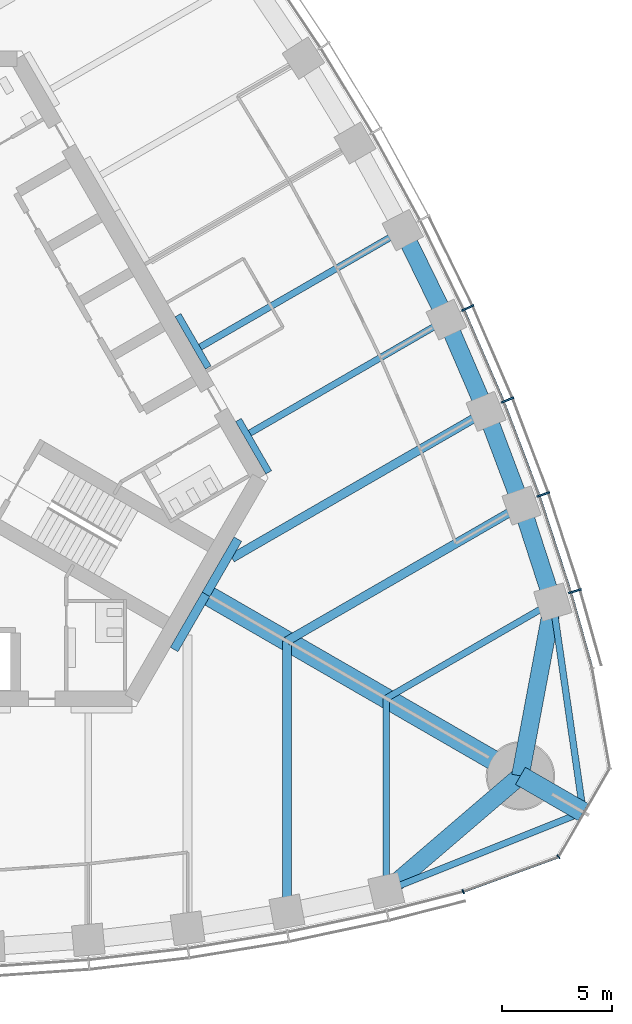
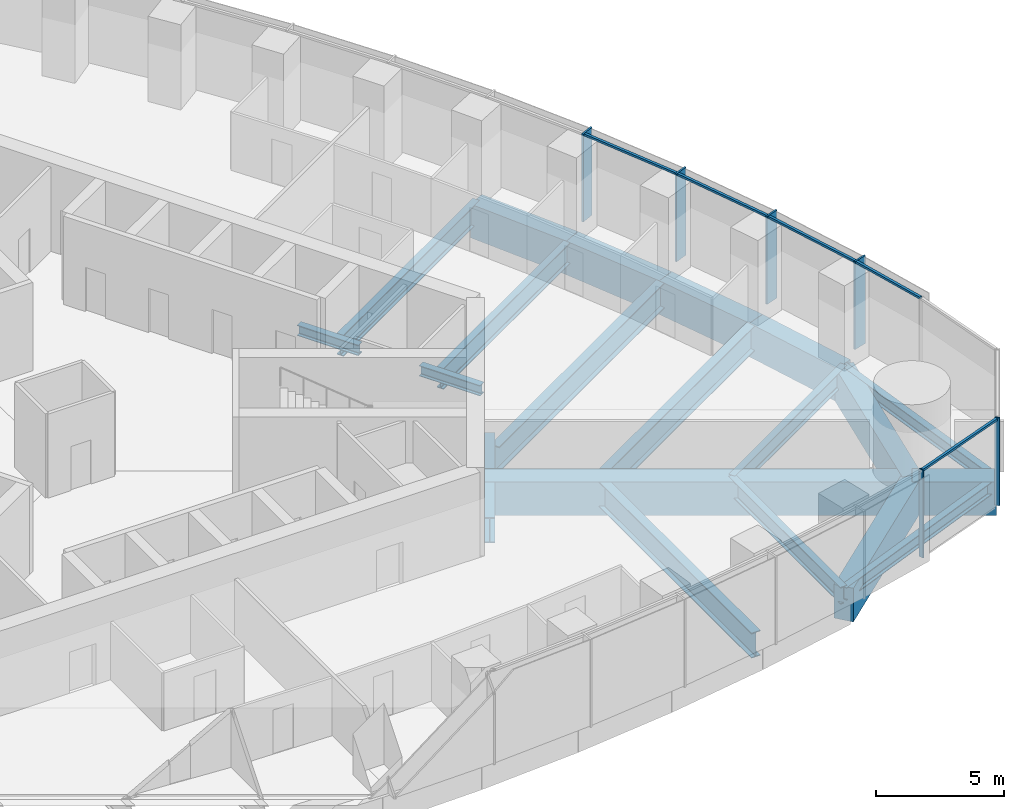
# One storey, part 4 of 18: 21 beams, 11 members, 2 elements without a shape of their own.
"""IFC4 building model written with IfcOpenShell, lengths in metres."""

from ifc_helpers import new_model, si_unit, direction, frame, origin, origin_2d, place, context, subcontext, project, spatial, rectangle, i_section, extrude, material, material_profile, profile_set, type_object, element, aggregate, save


model = new_model("IFC4")

# Units and contexts
model_context = context("Model", 3, precision=1e-05, world=origin(), true_north=direction((0.0, 1.0)))
body_context = subcontext(model_context, "Body", "Model", "MODEL_VIEW")
ifc_project = project(units=[si_unit("LENGTHUNIT", "METRE"), si_unit("AREAUNIT", "SQUARE_METRE"), si_unit("VOLUMEUNIT", "CUBIC_METRE"), si_unit("PLANEANGLEUNIT", "RADIAN"), si_unit("MASSUNIT", "GRAM", prefix="KILO")], contexts=[model_context])

# Site, building, storey
site_placement = place(None, origin())
site = spatial("IfcSite", under=ifc_project, at=site_placement, CompositionType="ELEMENT")
building_placement = place(site_placement, origin())
building = spatial("IfcBuilding", under=site, at=building_placement, Name="Trefoil Bronze Tower", CompositionType="ELEMENT")
storey_placement = place(building_placement, frame((0.0, 0.0, 252.699951171875)))
storey = spatial("IfcBuildingStorey", under=building, at=storey_placement, Name="L58", CompositionType="ELEMENT", Elevation=252.699951171875)

# Curtain wall, members
ifc_material_1 = material(Name="Tinted solar-control glass", Category="glass")
curtain_wall_type_1 = type_object("IfcCurtainWallType", Name="Bronze office curtain wall", PredefinedType="USERDEFINED", material=ifc_material_1)
curtain_wall_1_placement = place(storey_placement, origin())
curtain_wall_1 = element("IfcCurtainWall", 1, at=curtain_wall_1_placement, inside=storey, type_object=curtain_wall_type_1, Name="CW-A L58 F2", ObjectType="CURTAIN WALL", PredefinedType="USERDEFINED")
ifc_material_2 = material(Name="Bronze-finish aluminium", Category="aluminium")
ifc_material_profile_1 = material_profile(ifc_material_2, rectangle(XDim=0.60009765625, YDim=0.080078125, at=origin_2d()), Name="CW-A mullion")
ifc_profile_set_1 = profile_set([ifc_material_profile_1], Name="Bronze-finish aluminium")
member_type_1 = type_object("IfcMemberType", Name="Bronze office curtain wall mullion", PredefinedType="MULLION", material=ifc_profile_set_1)
member_1_placement = place(storey_placement, frame((31.05029296875, -8.132568359375, 0.0), z_axis=(0.0, 0.0, 1.0), x_axis=(-0.95694224323, -0.290278389002, 0.0)))
member_1 = element("IfcMember", 2, at=member_1_placement, type_object=member_type_1, Name="CW-A L58 F2 mullion 2", PredefinedType="MULLION", context=body_context, shape_type="SweptSolid", body=[
    extrude(rectangle(XDim=0.60009765625, YDim=0.080078125, at=origin_2d()), origin(), (0.0, 0.0, 1.0), 4.179931640625),
])
member_2_placement = place(storey_placement, frame((29.619873046875, -3.747314453125, 0.0), z_axis=(0.0, 0.0, 1.0), x_axis=(-0.943180077746, -0.332282020191, 0.0)))
member_2 = element("IfcMember", 3, at=member_2_placement, type_object=member_type_1, Name="CW-A L58 F2 mullion 3", PredefinedType="MULLION", context=body_context, shape_type="SweptSolid", body=[
    extrude(rectangle(XDim=0.60009765625, YDim=0.080078125, at=origin_2d()), origin(), (0.0, 0.0, 1.0), 4.179931640625),
])
member_3_placement = place(storey_placement, frame((27.999755859375, 0.529541015625, 0.0), z_axis=(0.0, 0.0, 1.0), x_axis=(-0.926689348282, -0.375828221106, 0.0)))
member_3 = element("IfcMember", 4, at=member_3_placement, type_object=member_type_1, Name="CW-A L58 F2 mullion 4", PredefinedType="MULLION", context=body_context, shape_type="SweptSolid", body=[
    extrude(rectangle(XDim=0.60009765625, YDim=0.080078125, at=origin_2d()), origin(), (0.0, 0.0, 1.0), 4.179931640625),
])
member_4_placement = place(storey_placement, frame((26.19482421875, 4.699462890625, 0.0), z_axis=(0.0, 0.0, 1.0), x_axis=(-0.908315380354, -0.418285990457, 0.0)))
member_4 = element("IfcMember", 5, at=member_4_placement, type_object=member_type_1, Name="CW-A L58 F2 mullion 5", PredefinedType="MULLION", context=body_context, shape_type="SweptSolid", body=[
    extrude(rectangle(XDim=0.60009765625, YDim=0.080078125, at=origin_2d()), origin(), (0.0, 0.0, 1.0), 4.179931640625),
])
ifc_material_3 = material(Name="Bronze-finish aluminium", Category="aluminium")
ifc_material_profile_2 = material_profile(ifc_material_3, rectangle(XDim=0.1201171875, YDim=0.10009765625, at=origin_2d()), Name="CW-A transom")
ifc_profile_set_2 = profile_set([ifc_material_profile_2], Name="Bronze-finish aluminium")
member_type_2 = type_object("IfcMemberType", Name="Bronze office curtain wall transom", PredefinedType="USERDEFINED", material=ifc_profile_set_2)
member_5_placement = place(storey_placement, frame((31.81201171875, -11.585205078125, 4.130126953125), z_axis=(-0.270284880437, 0.962780392097, 0.0), x_axis=(-0.962780392097, -0.270284880437, 0.0)))
member_5 = element("IfcMember", 6, at=member_5_placement, type_object=member_type_2, Name="CW-A L58 F2 transom 1", ObjectType="TRANSOM", PredefinedType="USERDEFINED", context=body_context, shape_type="SweptSolid", body=[
    extrude(rectangle(XDim=0.1201171875, YDim=0.10009765625, at=origin_2d()), origin(), (0.0, 0.0, 1.0), 3.48388671875),
])
member_6_placement = place(storey_placement, frame((30.845947265625, -8.150634765625, 4.130126953125), z_axis=(-0.310127806788, 0.950694874004, 0.0), x_axis=(-0.950694874004, -0.310127806788, 0.0)))
member_6 = element("IfcMember", 7, at=member_6_placement, type_object=member_type_2, Name="CW-A L58 F2 transom 2", ObjectType="TRANSOM", PredefinedType="USERDEFINED", context=body_context, shape_type="SweptSolid", body=[
    extrude(rectangle(XDim=0.1201171875, YDim=0.10009765625, at=origin_2d()), origin(), (0.0, 0.0, 1.0), 4.51953125),
])
member_7_placement = place(storey_placement, frame((29.416259765625, -3.774169921875, 4.130126953125), z_axis=(-0.354263170896, 0.935145767112, 0.0), x_axis=(-0.935145767112, -0.354263170896, 0.0)))
member_7 = element("IfcMember", 8, at=member_7_placement, type_object=member_type_2, Name="CW-A L58 F2 transom 3", ObjectType="TRANSOM", PredefinedType="USERDEFINED", context=body_context, shape_type="SweptSolid", body=[
    extrude(rectangle(XDim=0.1201171875, YDim=0.10009765625, at=origin_2d()), origin(), (0.0, 0.0, 1.0), 4.4794921875),
])
member_8_placement = place(storey_placement, frame((27.797607421875, 0.4931640625, 4.130126953125), z_axis=(-0.397220936772, 0.917723012346, 0.0), x_axis=(-0.917723012346, -0.397220936772, 0.0)))
member_8 = element("IfcMember", 9, at=member_8_placement, type_object=member_type_2, Name="CW-A L58 F2 transom 4", ObjectType="TRANSOM", PredefinedType="USERDEFINED", context=body_context, shape_type="SweptSolid", body=[
    extrude(rectangle(XDim=0.1201171875, YDim=0.10009765625, at=origin_2d()), origin(), (0.0, 0.0, 1.0), 4.449951171875),
])
aggregate(curtain_wall_1, [member_1, member_2, member_3, member_4, member_5, member_6, member_7, member_8])

ifc_material_4 = material(Name="Tinted solar-control glass", Category="glass")
curtain_wall_type_2 = type_object("IfcCurtainWallType", Name="Bronze rounded corner curtain wall", PredefinedType="USERDEFINED", material=ifc_material_4)
curtain_wall_2_placement = place(storey_placement, origin())
curtain_wall_2 = element("IfcCurtainWall", 10, at=curtain_wall_2_placement, inside=storey, type_object=curtain_wall_type_2, Name="CW-B L58 K1", ObjectType="CURTAIN WALL", PredefinedType="USERDEFINED")
ifc_material_5 = material(Name="Bronze-finish aluminium", Category="aluminium")
ifc_material_profile_3 = material_profile(ifc_material_5, rectangle(XDim=0.199951171875, YDim=0.06005859375, at=origin_2d()), Name="CW-B mullion")
ifc_profile_set_3 = profile_set([ifc_material_profile_3], Name="Bronze-finish aluminium")
member_type_3 = type_object("IfcMemberType", Name="Bronze rounded corner curtain wall mullion", PredefinedType="MULLION", material=ifc_profile_set_3)
member_9_placement = place(storey_placement, frame((25.9873046875, -21.74462890625, 0.0), z_axis=(0.0, 0.0, 1.0), x_axis=(-0.342020143326, 0.939692620786, 0.0)))
member_9 = element("IfcMember", 11, at=member_9_placement, type_object=member_type_3, Name="CW-B L58 K1 mullion 1", PredefinedType="MULLION", context=body_context, shape_type="SweptSolid", body=[
    extrude(rectangle(XDim=0.199951171875, YDim=0.06005859375, at=origin_2d()), origin(), (0.0, 0.0, 1.0), 4.179931640625),
])
member_10_placement = place(storey_placement, frame((30.302490234375, -20.16748046875, 0.0), z_axis=(0.0, 0.0, 1.0), x_axis=(-0.642787609687, 0.766044443119, 0.0)))
member_10 = element("IfcMember", 12, at=member_10_placement, type_object=member_type_3, Name="CW-B L58 K1 mullion 2", PredefinedType="MULLION", context=body_context, shape_type="SweptSolid", body=[
    extrude(rectangle(XDim=0.199951171875, YDim=0.06005859375, at=origin_2d()), origin(), (0.0, 0.0, 1.0), 4.179931640625),
])
ifc_material_6 = material(Name="Bronze-finish aluminium", Category="aluminium")
ifc_material_profile_4 = material_profile(ifc_material_6, rectangle(XDim=0.1201171875, YDim=0.10009765625, at=origin_2d()), Name="CW-B transom")
ifc_profile_set_4 = profile_set([ifc_material_profile_4], Name="Bronze-finish aluminium")
member_type_4 = type_object("IfcMemberType", Name="Bronze rounded corner curtain wall transom", PredefinedType="USERDEFINED", material=ifc_profile_set_4)
member_11_placement = place(storey_placement, frame((26.015380859375, -21.734375, 4.130126953125), z_axis=(0.939680910753, 0.342052314664, 0.0), x_axis=(-0.342052314664, 0.939680910753, 0.0)))
member_11 = element("IfcMember", 13, at=member_11_placement, type_object=member_type_4, Name="CW-B L58 K1 transom 1", ObjectType="TRANSOM", PredefinedType="USERDEFINED", context=body_context, shape_type="SweptSolid", body=[
    extrude(rectangle(XDim=0.1201171875, YDim=0.10009765625, at=origin_2d()), origin(), (0.0, 0.0, 1.0), 4.500244140625),
])
aggregate(curtain_wall_2, [member_9, member_10, member_11])

# Beams
ifc_material_7 = material(Name="Steel C355", Category="steel")
ifc_material_profile_5 = material_profile(ifc_material_7, i_section(OverallWidth=0.300048828125, OverallDepth=0.5, WebThickness=0.014404296875, FlangeThickness=0.028076171875, FilletRadius=0.027099609375, at=origin_2d()), Name="HEB 500")
ifc_profile_set_5 = profile_set([ifc_material_profile_5], Name="Steel C355")
beam_type_1 = type_object("IfcBeamType", Name="Core seat beam HEB 500", PredefinedType="BEAM", material=ifc_profile_set_5)
for number, where, z_axis, x_axis, name in (
    (14, (17.17626953125, -2.75, -0.449951171875), (-0.500035825175, 0.866004719122, 0.0), (-0.866004719122, -0.500035825175, 0.0), "Core seat beam F2/-2 L58"),
    (15, (14.433837890625, 2.0, -0.449951171875), (-0.500035825175, 0.866004719122, 0.0), (-0.866004719122, -0.500035825175, 0.0), "Core seat beam F2/-1 L58"),
):
    element("IfcBeam", number, at=place(storey_placement, frame(where, z_axis=z_axis, x_axis=x_axis)), inside=storey, type_object=beam_type_1, Name=name, PredefinedType="BEAM", context=body_context, shape_type="SweptSolid", body=[
        extrude(i_section(OverallWidth=0.300048828125, OverallDepth=0.5, WebThickness=0.014404296875, FlangeThickness=0.028076171875, FilletRadius=0.027099609375, at=origin_2d()), origin(), (0.0, 0.0, 1.0), 2.742431640625),
    ])
ifc_material_8 = material(Name="Steel C355", Category="steel")
ifc_material_profile_6 = material_profile(ifc_material_8, i_section(OverallWidth=0.39990234375, OverallDepth=1.199951171875, WebThickness=0.02001953125, FlangeThickness=0.0400390625, FilletRadius=0.010009765625, at=origin_2d()), Name="WPG 1200")
ifc_profile_set_6 = profile_set([ifc_material_profile_6], Name="Steel C355")
beam_type_2 = type_object("IfcBeamType", Name="Core seat beam WPG 1200", PredefinedType="BEAM", material=ifc_profile_set_6)
for number, where, z_axis, x_axis, name in (
    (16, (12.889404296875, -10.77490234375, -0.800048828125), (0.499995765644, 0.866027848477, 0.0), (-0.866027848477, 0.499995765644, 0.0), "Core seat beam F1/+3 L58"),
    (17, (14.332763671875, -8.27490234375, -0.800048828125), (0.499995765644, 0.866027848477, 0.0), (-0.866027848477, 0.499995765644, 0.0), "Core seat beam F2/-3 L58"),
):
    element("IfcBeam", number, at=place(storey_placement, frame(where, z_axis=z_axis, x_axis=x_axis)), inside=storey, type_object=beam_type_2, Name=name, PredefinedType="BEAM", context=body_context, shape_type="SweptSolid", body=[
        extrude(i_section(OverallWidth=0.39990234375, OverallDepth=1.199951171875, WebThickness=0.02001953125, FlangeThickness=0.0400390625, FilletRadius=0.010009765625, at=origin_2d()), origin(), (0.0, 0.0, 1.0), 2.88671875),
    ])
ifc_material_9 = material(Name="Concrete B80", Category="concrete")
ifc_material_profile_7 = material_profile(ifc_material_9, rectangle(XDim=0.89990234375, YDim=1.60009765625, at=origin_2d()), Name="RC 900x1600")
ifc_profile_set_7 = profile_set([ifc_material_profile_7], Name="Concrete B80")
beam_type_3 = type_object("IfcBeamType", Name="Corner cantilever RC 900x1600", PredefinedType="BEAM", material=ifc_profile_set_7)
beam_1_placement = place(storey_placement, frame((28.578857421875, -16.5, -1.0), z_axis=(0.866016004958, -0.500016278891, 0.0), x_axis=(0.500016278891, 0.866016004958, 0.0)))
element("IfcBeam", 18, at=beam_1_placement, inside=storey, type_object=beam_type_3, Name="Corner cantilever K1 L58", PredefinedType="BEAM", context=body_context, shape_type="SweptSolid", body=[
    extrude(rectangle(XDim=0.89990234375, YDim=1.60009765625, at=origin_2d()), origin(), (0.0, 0.0, 1.0), 3.28466796875),
])
ifc_material_10 = material(Name="Steel C355", Category="steel")
ifc_material_profile_8 = material_profile(ifc_material_10, i_section(OverallWidth=0.300048828125, OverallDepth=0.60009765625, WebThickness=0.015380859375, FlangeThickness=0.030029296875, FilletRadius=0.027099609375, at=origin_2d()), Name="HEB 600")
ifc_profile_set_8 = profile_set([ifc_material_profile_8], Name="Steel C355")
beam_type_4 = type_object("IfcBeamType", Name="Corner edge beam HEB 600", PredefinedType="BEAM", material=ifc_profile_set_8)
for number, where, z_axis, x_axis, name in (
    (19, (22.5, -21.71044921875, -0.5), (0.92852048463, 0.371281173266, 0.0), (-0.371281173266, 0.92852048463, 0.0), "Corner edge beam F1A L58"),
    (20, (30.052001953125, -8.63037109375, -0.5), (0.142694489722, -0.989766781925, 0.0), (0.989766781925, 0.142694489722, 0.0), "Corner edge beam F2B L58"),
):
    element("IfcBeam", number, at=place(storey_placement, frame(where, z_axis=z_axis, x_axis=x_axis)), inside=storey, type_object=beam_type_4, Name=name, PredefinedType="BEAM", context=body_context, shape_type="SweptSolid", body=[
        extrude(i_section(OverallWidth=0.300048828125, OverallDepth=0.60009765625, WebThickness=0.015380859375, FlangeThickness=0.030029296875, FilletRadius=0.027099609375, at=origin_2d()), origin(), (0.0, 0.0, 1.0), 9.6103515625),
    ])
ifc_material_11 = material(Name="Concrete B80", Category="concrete")
ifc_material_profile_9 = material_profile(ifc_material_11, rectangle(XDim=0.89990234375, YDim=1.60009765625, at=origin_2d()), Name="RC 900x1600")
ifc_profile_set_9 = profile_set([ifc_material_profile_9], Name="Concrete B80")
beam_type_5 = type_object("IfcBeamType", Name="Corner girder RC 900x1600", PredefinedType="BEAM", material=ifc_profile_set_9)
beam_2_placement = place(storey_placement, frame((14.159423828125, -8.175048828125, -1.0), z_axis=(0.866028334591, -0.49999492366, 0.0), x_axis=(0.49999492366, 0.866028334591, 0.0)))
element("IfcBeam", 21, at=beam_2_placement, inside=storey, type_object=beam_type_5, Name="Corner girder K1 L58", PredefinedType="BEAM", context=body_context, shape_type="SweptSolid", body=[
    extrude(rectangle(XDim=0.89990234375, YDim=1.60009765625, at=origin_2d()), origin(), (0.0, 0.0, 1.0), 16.650146484375),
])
ifc_material_12 = material(Name="Concrete B80", Category="concrete")
ifc_material_profile_10 = material_profile(ifc_material_12, rectangle(XDim=0.800048828125, YDim=1.60009765625, at=origin_2d()), Name="RC 800x1600")
ifc_profile_set_10 = profile_set([ifc_material_profile_10], Name="Concrete B80")
beam_type_6 = type_object("IfcBeamType", Name="End spandrel beam RC 800x1600", PredefinedType="SPANDREL", material=ifc_profile_set_10)
for number, where, z_axis, x_axis, name in (
    (22, (22.5, -21.71044921875, -1.0), (0.759256602365, 0.650791373456, 0.0), (-0.650791373456, 0.759256602365, 0.0), "Spandrel F1.12 L58"),
    (23, (28.578857421875, -16.5, -1.0), (0.18399763073, 0.982926686933, 0.0), (-0.982926686933, 0.18399763073, 0.0), "Spandrel F2.1 L58"),
):
    element("IfcBeam", number, at=place(storey_placement, frame(where, z_axis=z_axis, x_axis=x_axis)), inside=storey, type_object=beam_type_6, Name=name, PredefinedType="SPANDREL", context=body_context, shape_type="SweptSolid", body=[
        extrude(rectangle(XDim=0.800048828125, YDim=1.60009765625, at=origin_2d()), origin(), (0.0, 0.0, 1.0), 8.00634765625),
    ])
ifc_material_13 = material(Name="Steel C355", Category="steel")
ifc_material_profile_11 = material_profile(ifc_material_13, i_section(OverallWidth=0.300048828125, OverallDepth=1.0, WebThickness=0.01904296875, FlangeThickness=0.035888671875, FilletRadius=0.030029296875, at=origin_2d()), Name="HEB 1000")
ifc_profile_set_11 = profile_set([ifc_material_profile_11], Name="Steel C355")
beam_type_7 = type_object("IfcBeamType", Name="Floor beam HEB 1000", PredefinedType="BEAM", material=ifc_profile_set_11)
beam_3_placement = place(storey_placement, frame((25.2265625, 4.17236328125, -0.699951171875), z_axis=(-0.866019527493, -0.500010177898, 0.0), x_axis=(0.500010177898, -0.866019527493, 0.0)))
element("IfcBeam", 24, at=beam_3_placement, inside=storey, type_object=beam_type_7, Name="Floor beam F2/-2 L58", PredefinedType="BEAM", context=body_context, shape_type="SweptSolid", body=[
    extrude(i_section(OverallWidth=0.300048828125, OverallDepth=1.0, WebThickness=0.01904296875, FlangeThickness=0.035888671875, FilletRadius=0.030029296875, at=origin_2d()), origin(), (0.0, 0.0, 1.0), 10.282958984375),
])
ifc_material_14 = material(Name="Steel C355", Category="steel")
ifc_material_profile_12 = material_profile(ifc_material_14, i_section(OverallWidth=0.300048828125, OverallDepth=0.800048828125, WebThickness=0.017578125, FlangeThickness=0.032958984375, FilletRadius=0.030029296875, at=origin_2d()), Name="HEB 800")
ifc_profile_set_12 = profile_set([ifc_material_profile_12], Name="Steel C355")
beam_type_8 = type_object("IfcBeamType", Name="Floor beam HEB 800", PredefinedType="BEAM", material=ifc_profile_set_12)
beam_4_placement = place(storey_placement, frame((22.5, -21.71044921875, -0.599853515625), z_axis=(0.0, 1.0, 0.0), x_axis=(-1.0, 0.0, 0.0)))
element("IfcBeam", 25, at=beam_4_placement, inside=storey, type_object=beam_type_8, Name="Floor beam F1/+5 L58", PredefinedType="BEAM", context=body_context, shape_type="SweptSolid", body=[
    extrude(i_section(OverallWidth=0.300048828125, OverallDepth=0.800048828125, WebThickness=0.017578125, FlangeThickness=0.032958984375, FilletRadius=0.030029296875, at=origin_2d()), origin(), (0.0, 0.0, 1.0), 8.719970703125),
])
beam_5_placement = place(storey_placement, frame((30.052001953125, -8.63037109375, -0.599853515625), z_axis=(-0.866027535932, -0.499996306993, 0.0), x_axis=(0.499996306993, -0.866027535932, 0.0)))
element("IfcBeam", 26, at=beam_5_placement, inside=storey, type_object=beam_type_8, Name="Floor beam F2/-5 L58", PredefinedType="BEAM", context=body_context, shape_type="SweptSolid", body=[
    extrude(i_section(OverallWidth=0.300048828125, OverallDepth=0.800048828125, WebThickness=0.017578125, FlangeThickness=0.032958984375, FilletRadius=0.030029296875, at=origin_2d()), origin(), (0.0, 0.0, 1.0), 8.72021484375),
])
ifc_material_15 = material(Name="Steel C355", Category="steel")
ifc_material_profile_13 = material_profile(ifc_material_15, i_section(OverallWidth=0.302001953125, OverallDepth=1.008056640625, WebThickness=0.02099609375, FlangeThickness=0.0400390625, FilletRadius=0.030029296875, at=origin_2d()), Name="HEM 1000")
ifc_profile_set_13 = profile_set([ifc_material_profile_13], Name="Steel C355")
beam_type_9 = type_object("IfcBeamType", Name="Floor beam HEM 1000", PredefinedType="BEAM", material=ifc_profile_set_13)
beam_6_placement = place(storey_placement, frame((23.248046875, 8.22607421875, -0.703857421875), z_axis=(-0.86602981261, -0.499992363612, 0.0), x_axis=(0.499992363612, -0.86602981261, 0.0)))
element("IfcBeam", 27, at=beam_6_placement, inside=storey, type_object=beam_type_9, Name="Floor beam F2/-1 L58", PredefinedType="BEAM", context=body_context, shape_type="SweptSolid", body=[
    extrude(i_section(OverallWidth=0.302001953125, OverallDepth=1.008056640625, WebThickness=0.02099609375, FlangeThickness=0.0400390625, FilletRadius=0.030029296875, at=origin_2d()), origin(), (0.0, 0.0, 1.0), 10.596435546875),
])
ifc_material_16 = material(Name="Steel C355", Category="steel")
ifc_material_profile_14 = material_profile(ifc_material_16, i_section(OverallWidth=0.39990234375, OverallDepth=1.199951171875, WebThickness=0.02001953125, FlangeThickness=0.0400390625, FilletRadius=0.010009765625, at=origin_2d()), Name="WPG 1200")
ifc_profile_set_14 = profile_set([ifc_material_profile_14], Name="Steel C355")
beam_type_10 = type_object("IfcBeamType", Name="Floor beam WPG 1200", PredefinedType="BEAM", material=ifc_profile_set_14)
beam_7_placement = place(storey_placement, frame((18.0, -22.6689453125, -0.800048828125), z_axis=(0.0, 1.0, 0.0), x_axis=(-1.0, 0.0, 0.0)))
element("IfcBeam", 28, at=beam_7_placement, inside=storey, type_object=beam_type_10, Name="Floor beam F1/+4 L58", PredefinedType="BEAM", context=body_context, shape_type="SweptSolid", body=[
    extrude(i_section(OverallWidth=0.39990234375, OverallDepth=1.199951171875, WebThickness=0.02001953125, FlangeThickness=0.0400390625, FilletRadius=0.010009765625, at=origin_2d()), origin(), (0.0, 0.0, 1.0), 12.276611328125),
])
beam_8_placement = place(storey_placement, frame((28.632080078125, -4.25390625, -0.800048828125), z_axis=(-0.866025635187, -0.499999599199, 0.0), x_axis=(0.499999599199, -0.866025635187, 0.0)))
element("IfcBeam", 29, at=beam_8_placement, inside=storey, type_object=beam_type_10, Name="Floor beam F2/-4 L58", PredefinedType="BEAM", context=body_context, shape_type="SweptSolid", body=[
    extrude(i_section(OverallWidth=0.39990234375, OverallDepth=1.199951171875, WebThickness=0.02001953125, FlangeThickness=0.0400390625, FilletRadius=0.010009765625, at=origin_2d()), origin(), (0.0, 0.0, 1.0), 12.27685546875),
])
beam_9_placement = place(storey_placement, frame((27.022216796875, 0.012939453125, -0.800048828125), z_axis=(-0.866023461342, -0.500003364394, 0.0), x_axis=(0.500003364394, -0.866023461342, 0.0)))
element("IfcBeam", 30, at=beam_9_placement, inside=storey, type_object=beam_type_10, Name="Floor beam F2/-3 L58", PredefinedType="BEAM", context=body_context, shape_type="SweptSolid", body=[
    extrude(i_section(OverallWidth=0.39990234375, OverallDepth=1.199951171875, WebThickness=0.02001953125, FlangeThickness=0.0400390625, FilletRadius=0.010009765625, at=origin_2d()), origin(), (0.0, 0.0, 1.0), 13.291015625),
])
ifc_material_17 = material(Name="Concrete B80", Category="concrete")
ifc_material_profile_15 = material_profile(ifc_material_17, rectangle(XDim=0.800048828125, YDim=1.60009765625, at=origin_2d()), Name="RC 800x1600")
ifc_profile_set_15 = profile_set([ifc_material_profile_15], Name="Concrete B80")
beam_type_11 = type_object("IfcBeamType", Name="Spandrel beam RC 800x1600", PredefinedType="SPANDREL", material=ifc_profile_set_15)
beam_10_placement = place(storey_placement, frame((30.052001953125, -8.63037109375, -1.0), z_axis=(-0.308608505504, 0.951189145402, 0.0), x_axis=(-0.951189145402, -0.308608505504, 0.0)))
element("IfcBeam", 31, at=beam_10_placement, inside=storey, type_object=beam_type_11, Name="Spandrel F2.2 L58", PredefinedType="SPANDREL", context=body_context, shape_type="SweptSolid", body=[
    extrude(rectangle(XDim=0.800048828125, YDim=1.60009765625, at=origin_2d()), origin(), (0.0, 0.0, 1.0), 4.60107421875),
])
beam_11_placement = place(storey_placement, frame((28.632080078125, -4.25390625, -1.0), z_axis=(-0.353005969632, 0.935621069346, 0.0), x_axis=(-0.935621069346, -0.353005969632, 0.0)))
element("IfcBeam", 32, at=beam_11_placement, inside=storey, type_object=beam_type_11, Name="Spandrel F2.3 L58", PredefinedType="SPANDREL", context=body_context, shape_type="SweptSolid", body=[
    extrude(rectangle(XDim=0.800048828125, YDim=1.60009765625, at=origin_2d()), origin(), (0.0, 0.0, 1.0), 4.560546875),
])
beam_12_placement = place(storey_placement, frame((27.022216796875, 0.012939453125, -1.0), z_axis=(-0.396350337164, 0.918099346602, 0.0), x_axis=(-0.918099346602, -0.396350337164, 0.0)))
element("IfcBeam", 33, at=beam_12_placement, inside=storey, type_object=beam_type_11, Name="Spandrel F2.4 L58", PredefinedType="SPANDREL", context=body_context, shape_type="SweptSolid", body=[
    extrude(rectangle(XDim=0.800048828125, YDim=1.60009765625, at=origin_2d()), origin(), (0.0, 0.0, 1.0), 4.530517578125),
])
beam_13_placement = place(storey_placement, frame((25.2265625, 4.17236328125, -1.0), z_axis=(-0.438619830351, 0.898672712629, 0.0), x_axis=(-0.898672712629, -0.438619830351, 0.0)))
element("IfcBeam", 34, at=beam_13_placement, inside=storey, type_object=beam_type_11, Name="Spandrel F2.5 L58", PredefinedType="SPANDREL", context=body_context, shape_type="SweptSolid", body=[
    extrude(rectangle(XDim=0.800048828125, YDim=1.60009765625, at=origin_2d()), origin(), (0.0, 0.0, 1.0), 4.5107421875),
])

save(model, "model.ifc")
